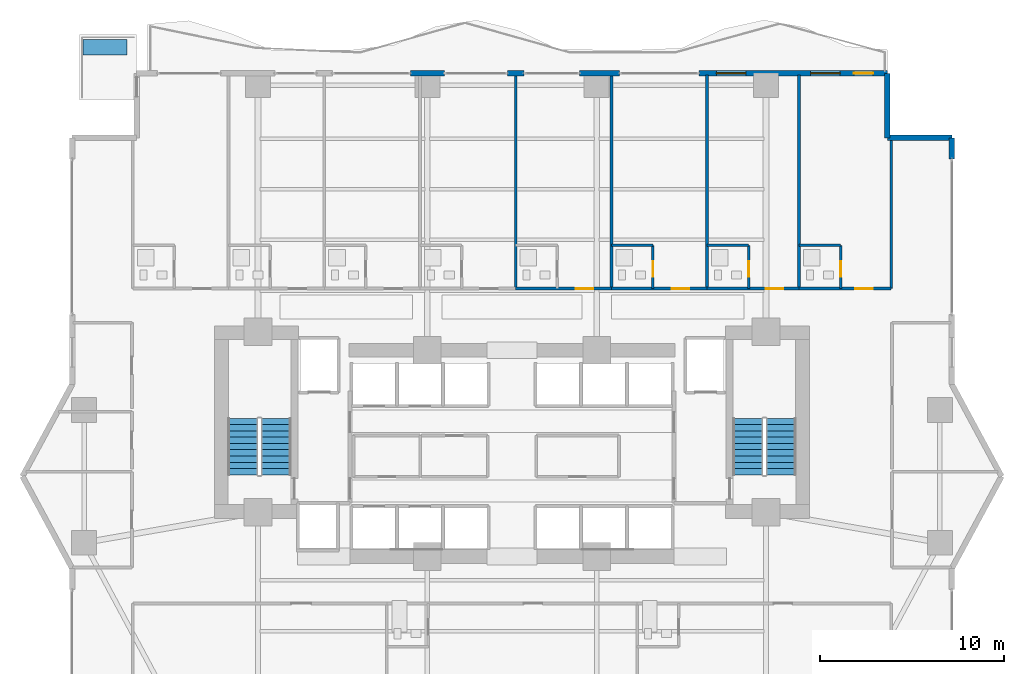
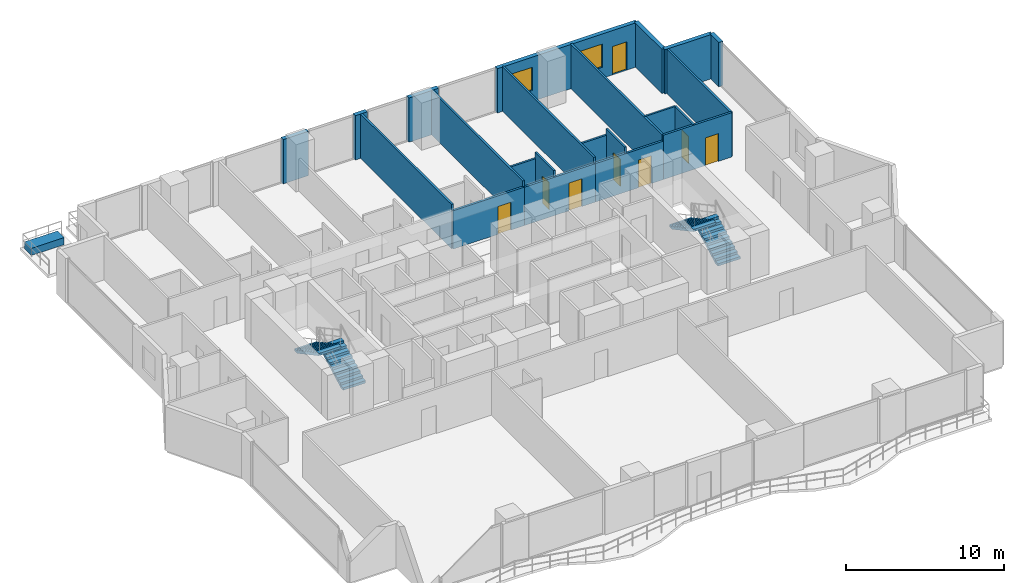
# One storey, part 24 of 28: 22 walls, 8 doors, 4 stair flights, 2 windows, 1 building element part, 10 openings, 2 elements without a shape of their own.
"""IFC4 building model written with IfcOpenShell, lengths in metres."""

from ifc_helpers import new_model, si_unit, direction, frame, frame_2d, origin, origin_2d, place, context, subcontext, project, spatial, polyline, rectangle, outline, extrude, material, layer, layer_set, type_object, element, fill, aggregate, save


model = new_model("IFC4")

# Units and contexts
model_context = context("Model", 3, precision=1e-05, world=origin(), true_north=direction((0.0, 1.0)))
body_context = subcontext(model_context, "Body", "Model", "MODEL_VIEW")
ifc_project = project(units=[si_unit("LENGTHUNIT", "METRE"), si_unit("AREAUNIT", "SQUARE_METRE"), si_unit("VOLUMEUNIT", "CUBIC_METRE"), si_unit("PLANEANGLEUNIT", "RADIAN"), si_unit("MASSUNIT", "GRAM", prefix="KILO")], contexts=[model_context])

# Site, building, storey
site_placement = place(None, origin())
site = spatial("IfcSite", under=ifc_project, at=site_placement, CompositionType="ELEMENT")
building_placement = place(site_placement, origin())
building = spatial("IfcBuilding", under=site, at=building_placement, Name="Zuhayl Quay Hotel", CompositionType="ELEMENT")
storey_placement = place(building_placement, frame((0.0, 0.0, 110.25)))
storey = spatial("IfcBuildingStorey", under=building, at=storey_placement, Name="L27", CompositionType="ELEMENT", Elevation=110.25)

# Walls
ifc_material_1 = material(Name="Precast concrete C45/55", Category="concrete")
ifc_layer_1 = layer(ifc_material_1, 0.300048828125, Name="Precast concrete C45/55", Category="concrete")
ifc_layer_set_1 = layer_set([ifc_layer_1], Name="Precast concrete C45/55")
wall_type_1 = type_object("IfcWallType", Name="WL_EXT_300", PredefinedType="STANDARD", material=ifc_layer_set_1)
wall_1_placement = place(storey_placement, frame((-5.52001953125, 28.39990234375, 0.0), z_axis=(0.0, 0.0, 1.0), x_axis=(1.0, 0.0, 0.0)))
element("IfcWall", 1, at=wall_1_placement, inside=storey, type_object=wall_type_1, Name="L27 Exterior Precast Wall ENV_L27_N_EW4", PredefinedType="STANDARD", context=body_context, shape_type="SweptSolid", body=[
    extrude(rectangle(XDim=1.840087890625, YDim=0.300048828125, at=frame_2d((0.919921875, 0.0))), origin(), (0.0, 0.0, 1.0), 3.429931640625),
])
wall_2_placement = place(storey_placement, frame((-0.25, 28.39990234375, 0.0), z_axis=(0.0, 0.0, 1.0), x_axis=(1.0, 0.0, 0.0)))
element("IfcWall", 2, at=wall_2_placement, inside=storey, type_object=wall_type_1, Name="L27 Exterior Precast Wall ENV_L27_N_EW5", PredefinedType="STANDARD", context=body_context, shape_type="SweptSolid", body=[
    extrude(rectangle(XDim=0.89990234375, YDim=0.300048828125, at=frame_2d((0.449951171875, 0.0))), origin(), (0.0, 0.0, 1.0), 3.429931640625),
])
wall_3_placement = place(storey_placement, frame((3.679931640625, 28.39990234375, 0.0), z_axis=(0.0, 0.0, 1.0), x_axis=(1.0, 0.0, 0.0)))
element("IfcWall", 3, at=wall_3_placement, inside=storey, type_object=wall_type_1, Name="L27 Exterior Precast Wall ENV_L27_N_EW6", PredefinedType="STANDARD", context=body_context, shape_type="SweptSolid", body=[
    extrude(rectangle(XDim=2.170166015625, YDim=0.300048828125, at=frame_2d((1.0849609375, 0.0))), origin(), (0.0, 0.0, 1.0), 3.429931640625),
])

# Wall, openings, door, windows
wall_4_placement = place(storey_placement, frame((10.14990234375, 28.39990234375, 0.0), z_axis=(0.0, 0.0, 1.0), x_axis=(1.0, 0.0, 0.0)))
wall_4 = element("IfcWall", 4, at=wall_4_placement, inside=storey, type_object=wall_type_1, Name="L27 Exterior Precast Wall ENV_L27_N_EW7", PredefinedType="STANDARD", context=body_context, shape_type="SweptSolid", body=[
    extrude(rectangle(XDim=10.25, YDim=0.300048828125, at=frame_2d((5.125, 0.0))), origin(), (0.0, 0.0, 1.0), 3.429931640625),
])
opening_1_placement = place(wall_4_placement, frame((8.425048828125, 0.0, 0.0)))
opening_1 = element("IfcOpeningElement", 5, at=opening_1_placement, cuts=wall_4, Name="Opening DG1", PredefinedType="OPENING", context=body_context, shape_type="SweptSolid", body=[
    extrude(rectangle(XDim=1.050048828125, YDim=2.199951171875, at=frame_2d((0.52490234375, 1.10009765625))), frame((0.0, 0.159912109375, 0.0), z_axis=(0.0, -1.0, 0.0), x_axis=(1.0, 0.0, 0.0)), (0.0, 0.0, 1.0), 0.320068359375),
])
opening_2_placement = place(wall_4_placement, frame((0.9599609375, 0.0, 0.85009765625)))
opening_2 = element("IfcOpeningElement", 6, at=opening_2_placement, cuts=wall_4, Name="Opening W01", PredefinedType="OPENING", context=body_context, shape_type="SweptSolid", body=[
    extrude(rectangle(XDim=1.60009765625, YDim=1.800048828125, at=frame_2d((0.800048828125, 0.89990234375))), frame((0.0, 0.159912109375, 0.0), z_axis=(0.0, -1.0, 0.0), x_axis=(1.0, 0.0, 0.0)), (0.0, 0.0, 1.0), 0.320068359375),
])
opening_3_placement = place(wall_4_placement, frame((6.072509765625, 0.0, 0.85009765625)))
opening_3 = element("IfcOpeningElement", 7, at=opening_3_placement, cuts=wall_4, Name="Opening W01", PredefinedType="OPENING", context=body_context, shape_type="SweptSolid", body=[
    extrude(rectangle(XDim=1.60009765625, YDim=1.800048828125, at=frame_2d((0.800048828125, 0.89990234375))), frame((0.0, 0.159912109375, 0.0), z_axis=(0.0, -1.0, 0.0), x_axis=(1.0, 0.0, 0.0)), (0.0, 0.0, 1.0), 0.320068359375),
])
ifc_material_2 = material(Name="Anodised Aluminium and Dark Solar Glass", Category="aluminium")
door_type_1 = type_object("IfcDoorType", Name="DR_EXT_TERR_1050", OperationType="NOTDEFINED", PredefinedType="DOOR", material=ifc_material_2)
door_1_placement = place(opening_1_placement, origin())
door_1 = element("IfcDoor", 8, at=door_1_placement, inside=storey, type_object=door_type_1, Name="L27 North Rippling Balcony Door", OperationType="SINGLE_SWING_LEFT", OverallHeight=2.199951171875, OverallWidth=1.050048828125, PredefinedType="DOOR", context=body_context, shape_type="SweptSolid", body=[
    extrude(rectangle(XDim=1.050048828125, YDim=2.199951171875, at=frame_2d((0.52490234375, 1.10009765625))), frame((0.0, 0.02490234375, 0.0), z_axis=(0.0, -1.0, 0.0), x_axis=(1.0, 0.0, 0.0)), (0.0, 0.0, 1.0), 0.050048828125),
])
fill(opening_1, door_1)
ifc_material_3 = material(Name="Dark Ceramic-Fritted Solar Glass", Category="glass")
window_type = type_object("IfcWindowType", Name="WN_OPERABLE_1600", PartitioningType="DOUBLE_PANEL_VERTICAL", PredefinedType="WINDOW", material=ifc_material_3)
window_1_placement = place(opening_2_placement, origin())
window_1 = element("IfcWindow", 9, at=window_1_placement, inside=storey, type_object=window_type, Name="L27 Operable Facade Window 7-1", OverallHeight=1.800048828125, OverallWidth=1.60009765625, PartitioningType="SINGLE_PANEL", PredefinedType="WINDOW", context=body_context, shape_type="SweptSolid", body=[
    extrude(rectangle(XDim=1.60009765625, YDim=1.800048828125, at=frame_2d((0.800048828125, 0.89990234375))), frame((0.0, 0.030029296875, 0.0), z_axis=(0.0, -1.0, 0.0), x_axis=(1.0, 0.0, 0.0)), (0.0, 0.0, 1.0), 0.06005859375),
])
fill(opening_2, window_1)
window_2_placement = place(opening_3_placement, origin())
window_2 = element("IfcWindow", 10, at=window_2_placement, inside=storey, type_object=window_type, Name="L27 Operable Facade Window 7-2", OverallHeight=1.800048828125, OverallWidth=1.60009765625, PartitioningType="SINGLE_PANEL", PredefinedType="WINDOW", context=body_context, shape_type="SweptSolid", body=[
    extrude(rectangle(XDim=1.60009765625, YDim=1.800048828125, at=frame_2d((0.800048828125, 0.89990234375))), frame((0.0, 0.030029296875, 0.0), z_axis=(0.0, -1.0, 0.0), x_axis=(1.0, 0.0, 0.0)), (0.0, 0.0, 1.0), 0.06005859375),
])
fill(opening_3, window_2)

# Walls
for number, where, z_axis, x_axis, name in (
    (11, (20.39990234375, 28.39990234375, 0.0), (0.0, 0.0, 1.0), (0.0, -1.0, 0.0), "L27 Exterior Precast Wall ENV_L27_EW09"),
    (12, (20.39990234375, 24.89990234375, 0.0), (0.0, 0.0, 1.0), (1.0, 0.0, 0.0), "L27 Exterior Precast Wall ENV_L27_EW10"),
):
    element("IfcWall", number, at=place(storey_placement, frame(where, z_axis=z_axis, x_axis=x_axis)), inside=storey, type_object=wall_type_1, Name=name, PredefinedType="STANDARD", context=body_context, shape_type="SweptSolid", body=[
        extrude(rectangle(XDim=3.5, YDim=0.300048828125, at=frame_2d((1.75, 0.0))), origin(), (0.0, 0.0, 1.0), 3.429931640625),
    ])
wall_5_placement = place(storey_placement, frame((23.89990234375, 24.89990234375, 0.0), z_axis=(0.0, 0.0, 1.0), x_axis=(0.0, -1.0, 0.0)))
element("IfcWall", 13, at=wall_5_placement, inside=storey, type_object=wall_type_1, Name="L27 Exterior Precast Wall ENV_L27_E11_EW1", PredefinedType="STANDARD", context=body_context, shape_type="SweptSolid", body=[
    extrude(rectangle(XDim=1.14990234375, YDim=0.300048828125, at=frame_2d((0.574951171875, 0.0))), origin(), (0.0, 0.0, 1.0), 3.429931640625),
])
ifc_material_4 = material(Name="Acoustic Gypsum Partition STC-58")
ifc_layer_2 = layer(ifc_material_4, 0.14990234375, Name="Acoustic Gypsum Partition STC-58")
ifc_layer_set_2 = layer_set([ifc_layer_2], Name="Acoustic Gypsum Partition STC-58")
wall_type_2 = type_object("IfcWallType", Name="WL_PART_150", PredefinedType="PARTITIONING", material=ifc_layer_set_2)
for number, where, z_axis, x_axis, name in (
    (14, (0.199951171875, 16.699951171875, 0.0), (0.0, 0.0, 1.0), (0.0, 1.0, 0.0), "L27 Partition IW_L27_NU04_E"),
    (15, (5.39990234375, 16.699951171875, 0.0), (0.0, 0.0, 1.0), (0.0, 1.0, 0.0), "L27 Partition IW_L27_NU05_E"),
    (16, (10.60009765625, 16.699951171875, 0.0), (0.0, 0.0, 1.0), (0.0, 1.0, 0.0), "L27 Partition IW_L27_NU06_E"),
    (17, (15.60009765625, 16.699951171875, 0.0), (0.0, 0.0, 1.0), (0.0, 1.0, 0.0), "L27 Partition IW_L27_NU07_E"),
):
    element("IfcWall", number, at=place(storey_placement, frame(where, z_axis=z_axis, x_axis=x_axis)), inside=storey, type_object=wall_type_2, Name=name, PredefinedType="PARTITIONING", context=body_context, shape_type="SweptSolid", body=[
        extrude(rectangle(XDim=11.6201171875, YDim=0.14990234375, at=frame_2d((5.81005859375, 0.0))), origin(), (0.0, 0.0, 1.0), 3.429931640625),
    ])
wall_6_placement = place(storey_placement, frame((20.60009765625, 16.699951171875, 0.0), z_axis=(0.0, 0.0, 1.0), x_axis=(0.0, 1.0, 0.0)))
element("IfcWall", 18, at=wall_6_placement, inside=storey, type_object=wall_type_2, Name="L27 Partition IW_L27_NU08_E", PredefinedType="PARTITIONING", context=body_context, shape_type="SweptSolid", body=[
    extrude(rectangle(XDim=8.199951171875, YDim=0.14990234375, at=frame_2d((4.10009765625, 0.0))), origin(), (0.0, 0.0, 1.0), 3.429931640625),
])

# Wall, opening, door
ifc_layer_3 = layer(ifc_material_4, 0.159912109375, Name="Acoustic Gypsum Partition STC-58")
ifc_layer_set_3 = layer_set([ifc_layer_3], Name="Acoustic Gypsum Partition STC-58")
wall_type_3 = type_object("IfcWallType", Name="WL_PART_CORR_160", PredefinedType="PARTITIONING", material=ifc_layer_set_3)
wall_7_placement = place(storey_placement, frame((0.199951171875, 16.699951171875, 0.0), z_axis=(0.0, 0.0, 1.0), x_axis=(1.0, 0.0, 0.0)))
wall_7 = element("IfcWall", 19, at=wall_7_placement, inside=storey, type_object=wall_type_3, Name="L27 Partition IW_L27_NU05_COR", PredefinedType="PARTITIONING", context=body_context, shape_type="SweptSolid", body=[
    extrude(rectangle(XDim=5.199951171875, YDim=0.159912109375, at=frame_2d((2.60009765625, 0.0))), origin(), (0.0, 0.0, 1.0), 2.972900390625),
])
opening_4_placement = place(wall_7_placement, frame((3.27490234375, 0.0, 0.0)))
opening_4 = element("IfcOpeningElement", 20, at=opening_4_placement, cuts=wall_7, Name="Opening D03", PredefinedType="OPENING", context=body_context, shape_type="SweptSolid", body=[
    extrude(rectangle(XDim=0.949951171875, YDim=2.14990234375, at=frame_2d((0.47509765625, 1.074951171875))), frame((0.0, 0.08984375, 0.0), z_axis=(0.0, -1.0, 0.0), x_axis=(1.0, 0.0, 0.0)), (0.0, 0.0, 1.0), 0.179931640625),
])
ifc_material_5 = material(Name="Solid Walnut Acoustic Fire Door")
door_type_2 = type_object("IfcDoorType", Name="DR_SUITE_950", OperationType="NOTDEFINED", PredefinedType="DOOR", material=ifc_material_5)
door_2_placement = place(opening_4_placement, origin())
door_2 = element("IfcDoor", 21, at=door_2_placement, inside=storey, type_object=door_type_2, Name="L27 Deluxe Gulf Guest Room L27-05 Entrance Door", OperationType="SINGLE_SWING_RIGHT", OverallHeight=2.14990234375, OverallWidth=0.949951171875, PredefinedType="DOOR", context=body_context, shape_type="SweptSolid", body=[
    extrude(rectangle(XDim=0.949951171875, YDim=2.14990234375, at=frame_2d((0.47509765625, 1.074951171875))), frame((0.0, 0.02490234375, 0.0), z_axis=(0.0, -1.0, 0.0), x_axis=(1.0, 0.0, 0.0)), (0.0, 0.0, 1.0), 0.050048828125),
])
fill(opening_4, door_2)

wall_8_placement = place(storey_placement, frame((5.39990234375, 16.699951171875, 0.0), z_axis=(0.0, 0.0, 1.0), x_axis=(1.0, 0.0, 0.0)))
wall_8 = element("IfcWall", 22, at=wall_8_placement, inside=storey, type_object=wall_type_3, Name="L27 Partition IW_L27_NU06_COR", PredefinedType="PARTITIONING", context=body_context, shape_type="SweptSolid", body=[
    extrude(rectangle(XDim=5.2001953125, YDim=0.159912109375, at=frame_2d((2.60009765625, 0.0))), origin(), (0.0, 0.0, 1.0), 2.972900390625),
])
opening_5_placement = place(wall_8_placement, frame((3.27490234375, 0.0, 0.0)))
opening_5 = element("IfcOpeningElement", 23, at=opening_5_placement, cuts=wall_8, Name="Opening D03", PredefinedType="OPENING", context=body_context, shape_type="SweptSolid", body=[
    extrude(rectangle(XDim=0.949951171875, YDim=2.14990234375, at=frame_2d((0.47509765625, 1.074951171875))), frame((0.0, 0.08984375, 0.0), z_axis=(0.0, -1.0, 0.0), x_axis=(1.0, 0.0, 0.0)), (0.0, 0.0, 1.0), 0.179931640625),
])
door_3_placement = place(opening_5_placement, origin())
door_3 = element("IfcDoor", 24, at=door_3_placement, inside=storey, type_object=door_type_2, Name="L27 Deluxe Gulf Guest Room L27-06 Entrance Door", OperationType="SINGLE_SWING_RIGHT", OverallHeight=2.14990234375, OverallWidth=0.949951171875, PredefinedType="DOOR", context=body_context, shape_type="SweptSolid", body=[
    extrude(rectangle(XDim=0.949951171875, YDim=2.14990234375, at=frame_2d((0.47509765625, 1.074951171875))), frame((0.0, 0.02490234375, 0.0), z_axis=(0.0, -1.0, 0.0), x_axis=(1.0, 0.0, 0.0)), (0.0, 0.0, 1.0), 0.050048828125),
])
fill(opening_5, door_3)

wall_9_placement = place(storey_placement, frame((10.60009765625, 16.699951171875, 0.0), z_axis=(0.0, 0.0, 1.0), x_axis=(1.0, 0.0, 0.0)))
wall_9 = element("IfcWall", 25, at=wall_9_placement, inside=storey, type_object=wall_type_3, Name="L27 Partition IW_L27_NU07_COR", PredefinedType="PARTITIONING", context=body_context, shape_type="SweptSolid", body=[
    extrude(rectangle(XDim=5.0, YDim=0.159912109375, at=frame_2d((2.5, 0.0))), origin(), (0.0, 0.0, 1.0), 2.972900390625),
])
opening_6_placement = place(wall_9_placement, frame((3.175048828125, 0.0, 0.0)))
opening_6 = element("IfcOpeningElement", 26, at=opening_6_placement, cuts=wall_9, Name="Opening D03", PredefinedType="OPENING", context=body_context, shape_type="SweptSolid", body=[
    extrude(rectangle(XDim=0.949951171875, YDim=2.14990234375, at=frame_2d((0.47509765625, 1.074951171875))), frame((0.0, 0.08984375, 0.0), z_axis=(0.0, -1.0, 0.0), x_axis=(1.0, 0.0, 0.0)), (0.0, 0.0, 1.0), 0.179931640625),
])
door_4_placement = place(opening_6_placement, origin())
door_4 = element("IfcDoor", 27, at=door_4_placement, inside=storey, type_object=door_type_2, Name="L27 Deluxe Gulf Guest Room L27-07 Entrance Door", OperationType="SINGLE_SWING_RIGHT", OverallHeight=2.14990234375, OverallWidth=0.949951171875, PredefinedType="DOOR", context=body_context, shape_type="SweptSolid", body=[
    extrude(rectangle(XDim=0.949951171875, YDim=2.14990234375, at=frame_2d((0.47509765625, 1.074951171875))), frame((0.0, 0.02490234375, 0.0), z_axis=(0.0, -1.0, 0.0), x_axis=(1.0, 0.0, 0.0)), (0.0, 0.0, 1.0), 0.050048828125),
])
fill(opening_6, door_4)

wall_10_placement = place(storey_placement, frame((15.60009765625, 16.699951171875, 0.0), z_axis=(0.0, 0.0, 1.0), x_axis=(1.0, 0.0, 0.0)))
wall_10 = element("IfcWall", 28, at=wall_10_placement, inside=storey, type_object=wall_type_3, Name="L27 Partition IW_L27_NU08_COR", PredefinedType="PARTITIONING", context=body_context, shape_type="SweptSolid", body=[
    extrude(rectangle(XDim=5.0, YDim=0.159912109375, at=frame_2d((2.5, 0.0))), origin(), (0.0, 0.0, 1.0), 3.429931640625),
])
opening_7_placement = place(wall_10_placement, frame((3.050048828125, 0.0, 0.0)))
opening_7 = element("IfcOpeningElement", 29, at=opening_7_placement, cuts=wall_10, Name="Opening D03", PredefinedType="OPENING", context=body_context, shape_type="SweptSolid", body=[
    extrude(rectangle(XDim=0.949951171875, YDim=2.14990234375, at=frame_2d((0.47509765625, 1.074951171875))), frame((0.0, 0.08984375, 0.0), z_axis=(0.0, -1.0, 0.0), x_axis=(1.0, 0.0, 0.0)), (0.0, 0.0, 1.0), 0.179931640625),
])
door_5_placement = place(opening_7_placement, origin())
door_5 = element("IfcDoor", 30, at=door_5_placement, inside=storey, type_object=door_type_2, Name="L27 Deluxe Gulf Guest Room L27-08 Entrance Door", OperationType="SINGLE_SWING_RIGHT", OverallHeight=2.14990234375, OverallWidth=0.949951171875, PredefinedType="DOOR", context=body_context, shape_type="SweptSolid", body=[
    extrude(rectangle(XDim=0.949951171875, YDim=2.14990234375, at=frame_2d((0.47509765625, 1.074951171875))), frame((0.0, 0.02490234375, 0.0), z_axis=(0.0, -1.0, 0.0), x_axis=(1.0, 0.0, 0.0)), (0.0, 0.0, 1.0), 0.050048828125),
])
fill(opening_7, door_5)

ifc_material_6 = material(Name="Moisture-Resistant Sanitarychase Gypsum")
ifc_layer_4 = layer(ifc_material_6, 0.135009765625, Name="Moisture-Resistant Sanitarychase Gypsum")
ifc_layer_set_4 = layer_set([ifc_layer_4], Name="Moisture-Resistant Sanitarychase Gypsum")
wall_type_4 = type_object("IfcWallType", Name="WL_PART_PLUMB_150", PredefinedType="PLUMBINGWALL", material=ifc_layer_set_4)
wall_11_placement = place(storey_placement, frame((7.659912109375, 16.699951171875, 0.0), z_axis=(0.0, 0.0, 1.0), x_axis=(0.0, 1.0, 0.0)))
wall_11 = element("IfcWall", 31, at=wall_11_placement, inside=storey, type_object=wall_type_4, Name="L27 Partition IW_L27_NU06_BE", PredefinedType="PLUMBINGWALL", context=body_context, shape_type="SweptSolid", body=[
    extrude(rectangle(XDim=2.360107421875, YDim=0.135009765625, at=frame_2d((1.18017578125, 0.0))), origin(), (0.0, 0.0, 1.0), 3.429931640625),
])
opening_8_placement = place(wall_11_placement, frame((0.64990234375, 0.0, 0.0)))
opening_8 = element("IfcOpeningElement", 32, at=opening_8_placement, cuts=wall_11, Name="Opening D04", PredefinedType="OPENING", context=body_context, shape_type="SweptSolid", body=[
    extrude(rectangle(XDim=0.85009765625, YDim=2.10009765625, at=frame_2d((0.425048828125, 1.050048828125))), frame((0.0, 0.077392578125, 0.0), z_axis=(0.0, -1.0, 0.0), x_axis=(1.0, 0.0, 0.0)), (0.0, 0.0, 1.0), 0.155029296875),
])
ifc_material_7 = material(Name="Moisture-Resistant Walnut Veneer")
door_type_3 = type_object("IfcDoorType", Name="DR_BATH_850", OperationType="NOTDEFINED", PredefinedType="DOOR", material=ifc_material_7)
door_6_placement = place(opening_8_placement, origin())
door_6 = element("IfcDoor", 33, at=door_6_placement, inside=storey, type_object=door_type_3, Name="L27 Deluxe Gulf Guest Room L27-06 En-Suite Door", OperationType="SINGLE_SWING_LEFT", OverallHeight=2.10009765625, OverallWidth=0.85009765625, PredefinedType="DOOR", context=body_context, shape_type="SweptSolid", body=[
    extrude(rectangle(XDim=0.85009765625, YDim=2.10009765625, at=frame_2d((0.425048828125, 1.050048828125))), frame((0.0, 0.02490234375, 0.0), z_axis=(0.0, -1.0, 0.0), x_axis=(1.0, 0.0, 0.0)), (0.0, 0.0, 1.0), 0.050048828125),
])
fill(opening_8, door_6)

wall_12_placement = place(storey_placement, frame((12.860107421875, 16.699951171875, 0.0), z_axis=(0.0, 0.0, 1.0), x_axis=(0.0, 1.0, 0.0)))
wall_12 = element("IfcWall", 34, at=wall_12_placement, inside=storey, type_object=wall_type_4, Name="L27 Partition IW_L27_NU07_BE", PredefinedType="PLUMBINGWALL", context=body_context, shape_type="SweptSolid", body=[
    extrude(rectangle(XDim=2.360107421875, YDim=0.135009765625, at=frame_2d((1.18017578125, 0.0))), origin(), (0.0, 0.0, 1.0), 3.429931640625),
])
opening_9_placement = place(wall_12_placement, frame((0.64990234375, 0.0, 0.0)))
opening_9 = element("IfcOpeningElement", 35, at=opening_9_placement, cuts=wall_12, Name="Opening D04", PredefinedType="OPENING", context=body_context, shape_type="SweptSolid", body=[
    extrude(rectangle(XDim=0.85009765625, YDim=2.10009765625, at=frame_2d((0.425048828125, 1.050048828125))), frame((0.0, 0.077392578125, 0.0), z_axis=(0.0, -1.0, 0.0), x_axis=(1.0, 0.0, 0.0)), (0.0, 0.0, 1.0), 0.155029296875),
])
door_7_placement = place(opening_9_placement, origin())
door_7 = element("IfcDoor", 36, at=door_7_placement, inside=storey, type_object=door_type_3, Name="L27 Deluxe Gulf Guest Room L27-07 En-Suite Door", OperationType="SINGLE_SWING_LEFT", OverallHeight=2.10009765625, OverallWidth=0.85009765625, PredefinedType="DOOR", context=body_context, shape_type="SweptSolid", body=[
    extrude(rectangle(XDim=0.85009765625, YDim=2.10009765625, at=frame_2d((0.425048828125, 1.050048828125))), frame((0.0, 0.02490234375, 0.0), z_axis=(0.0, -1.0, 0.0), x_axis=(1.0, 0.0, 0.0)), (0.0, 0.0, 1.0), 0.050048828125),
])
fill(opening_9, door_7)

wall_13_placement = place(storey_placement, frame((17.860107421875, 16.699951171875, 0.0), z_axis=(0.0, 0.0, 1.0), x_axis=(0.0, 1.0, 0.0)))
wall_13 = element("IfcWall", 37, at=wall_13_placement, inside=storey, type_object=wall_type_4, Name="L27 Partition IW_L27_NU08_BE", PredefinedType="PLUMBINGWALL", context=body_context, shape_type="SweptSolid", body=[
    extrude(rectangle(XDim=2.360107421875, YDim=0.135009765625, at=frame_2d((1.18017578125, 0.0))), origin(), (0.0, 0.0, 1.0), 3.429931640625),
])
opening_10_placement = place(wall_13_placement, frame((0.64990234375, 0.0, 0.0)))
opening_10 = element("IfcOpeningElement", 38, at=opening_10_placement, cuts=wall_13, Name="Opening D04", PredefinedType="OPENING", context=body_context, shape_type="SweptSolid", body=[
    extrude(rectangle(XDim=0.85009765625, YDim=2.10009765625, at=frame_2d((0.425048828125, 1.050048828125))), frame((0.0, 0.077392578125, 0.0), z_axis=(0.0, -1.0, 0.0), x_axis=(1.0, 0.0, 0.0)), (0.0, 0.0, 1.0), 0.155029296875),
])
door_8_placement = place(opening_10_placement, origin())
door_8 = element("IfcDoor", 39, at=door_8_placement, inside=storey, type_object=door_type_3, Name="L27 Deluxe Gulf Guest Room L27-08 En-Suite Door", OperationType="SINGLE_SWING_LEFT", OverallHeight=2.10009765625, OverallWidth=0.85009765625, PredefinedType="DOOR", context=body_context, shape_type="SweptSolid", body=[
    extrude(rectangle(XDim=0.85009765625, YDim=2.10009765625, at=frame_2d((0.425048828125, 1.050048828125))), frame((0.0, 0.02490234375, 0.0), z_axis=(0.0, -1.0, 0.0), x_axis=(1.0, 0.0, 0.0)), (0.0, 0.0, 1.0), 0.050048828125),
])
fill(opening_10, door_8)

# Walls
for number, where, z_axis, x_axis, name in (
    (40, (5.39990234375, 19.06005859375, 0.0), (0.0, 0.0, 1.0), (1.0, 0.0, 0.0), "L27 Partition IW_L27_NU06_BN"),
    (41, (10.60009765625, 19.06005859375, 0.0), (0.0, 0.0, 1.0), (1.0, 0.0, 0.0), "L27 Partition IW_L27_NU07_BN"),
):
    element("IfcWall", number, at=place(storey_placement, frame(where, z_axis=z_axis, x_axis=x_axis)), inside=storey, type_object=wall_type_4, Name=name, PredefinedType="PLUMBINGWALL", context=body_context, shape_type="SweptSolid", body=[
        extrude(rectangle(XDim=2.260009765625, YDim=0.135009765625, at=frame_2d((1.1298828125, 0.0))), origin(), (0.0, 0.0, 1.0), 2.972900390625),
    ])
wall_14_placement = place(storey_placement, frame((15.60009765625, 19.06005859375, 0.0), z_axis=(0.0, 0.0, 1.0), x_axis=(1.0, 0.0, 0.0)))
element("IfcWall", 42, at=wall_14_placement, inside=storey, type_object=wall_type_4, Name="L27 Partition IW_L27_NU08_BN", PredefinedType="PLUMBINGWALL", context=body_context, shape_type="SweptSolid", body=[
    extrude(rectangle(XDim=2.260009765625, YDim=0.135009765625, at=frame_2d((1.1298828125, 0.0))), origin(), (0.0, 0.0, 1.0), 3.429931640625),
])

# Stair, stair flights
ifc_material_8 = material(Name="Concrete C45/55", Category="concrete")
stair_type = type_object("IfcStairType", Name="ST_DOGLEG_TOWER", PredefinedType="HALF_TURN_STAIR", material=ifc_material_8)
stair_1_placement = place(storey_placement, origin())
stair_1 = element("IfcStair", 43, at=stair_1_placement, inside=storey, type_object=stair_type, Name="L27 Smokeproof Exit Stair ST1", PredefinedType="HALF_TURN_STAIR")
ifc_layer_5 = layer(ifc_material_8, 0.159912109375, Name="Concrete C45/55", Category="concrete")
ifc_layer_set_5 = layer_set([ifc_layer_5], Name="Concrete C45/55")
stair_flight_type = type_object("IfcStairFlightType", Name="SF_CONC_164", PredefinedType="STRAIGHT", material=ifc_layer_set_5)
stair_flight_1_placement = place(storey_placement, frame((-12.820068359375, 6.590087890625, 0.0), z_axis=(0.0, 0.0, 1.0), x_axis=(0.0, 1.0, 0.0)))
stair_flight_1 = element("IfcStairFlight", 44, at=stair_flight_1_placement, type_object=stair_flight_type, Name="ST1 flight 1", NumberOfRisers=10, NumberOfTreads=9, PredefinedType="STRAIGHT", RiserHeight=0.1825, TreadLength=0.34, context=body_context, shape_type="SweptSolid", body=[
    extrude(outline(polyline([(0.0, 0.0), (0.0, 0.1826171875), (0.340087890625, 0.1826171875), (0.340087890625, 0.364990234375), (0.679931640625, 0.364990234375), (0.679931640625, 0.547607421875), (1.02001953125, 0.547607421875), (1.02001953125, 0.72998046875), (1.360107421875, 0.72998046875), (1.360107421875, 0.91259765625), (1.699951171875, 0.91259765625), (1.699951171875, 1.094970703125), (2.0400390625, 1.094970703125), (2.0400390625, 1.277587890625), (2.3798828125, 1.277587890625), (2.3798828125, 1.4599609375), (2.719970703125, 1.4599609375), (2.719970703125, 1.642578125), (3.06005859375, 1.642578125), (3.06005859375, 1.824951171875), (3.06005859375, 1.472412109375), (0.31689453125, 0.0), (0.0, 0.0)])), frame((0.0, 0.81982421875, 0.0), z_axis=(0.0, -1.0, 0.0), x_axis=(1.0, 0.0, 0.0)), (0.0, 0.0, 1.0), 1.639892578125),
])
stair_flight_2_placement = place(storey_placement, frame((-14.610107421875, 9.64990234375, 1.824951171875), z_axis=(0.0, 0.0, 1.0), x_axis=(0.0, -1.0, 0.0)))
stair_flight_2 = element("IfcStairFlight", 45, at=stair_flight_2_placement, type_object=stair_flight_type, Name="ST1 flight 2", NumberOfRisers=10, NumberOfTreads=9, PredefinedType="STRAIGHT", RiserHeight=0.1825, TreadLength=0.34, context=body_context, shape_type="SweptSolid", body=[
    extrude(outline(polyline([(0.0, 0.0), (0.0, 0.1826171875), (0.340087890625, 0.1826171875), (0.340087890625, 0.364990234375), (0.679931640625, 0.364990234375), (0.679931640625, 0.547607421875), (1.02001953125, 0.547607421875), (1.02001953125, 0.72998046875), (1.360107421875, 0.72998046875), (1.360107421875, 0.91259765625), (1.699951171875, 0.91259765625), (1.699951171875, 1.094970703125), (2.0400390625, 1.094970703125), (2.0400390625, 1.277587890625), (2.3798828125, 1.277587890625), (2.3798828125, 1.4599609375), (2.719970703125, 1.4599609375), (2.719970703125, 1.642578125), (3.06005859375, 1.642578125), (3.06005859375, 1.824951171875), (3.06005859375, 1.472412109375), (0.31689453125, 0.0), (0.0, 0.0)])), frame((0.0, 0.81982421875, 0.0), z_axis=(0.0, -1.0, 0.0), x_axis=(1.0, 0.0, 0.0)), (0.0, 0.0, 1.0), 1.639892578125),
])
aggregate(stair_1, [stair_flight_1, stair_flight_2])

stair_2_placement = place(storey_placement, origin())
stair_2 = element("IfcStair", 46, at=stair_2_placement, inside=storey, type_object=stair_type, Name="L27 Smokeproof Exit Stair ST2", PredefinedType="HALF_TURN_STAIR")
stair_flight_3_placement = place(storey_placement, frame((14.610107421875, 6.590087890625, 0.0), z_axis=(0.0, 0.0, 1.0), x_axis=(0.0, 1.0, 0.0)))
stair_flight_3 = element("IfcStairFlight", 47, at=stair_flight_3_placement, type_object=stair_flight_type, Name="ST2 flight 1", NumberOfRisers=10, NumberOfTreads=9, PredefinedType="STRAIGHT", RiserHeight=0.1825, TreadLength=0.34, context=body_context, shape_type="SweptSolid", body=[
    extrude(outline(polyline([(0.0, 0.0), (0.0, 0.1826171875), (0.340087890625, 0.1826171875), (0.340087890625, 0.364990234375), (0.679931640625, 0.364990234375), (0.679931640625, 0.547607421875), (1.02001953125, 0.547607421875), (1.02001953125, 0.72998046875), (1.360107421875, 0.72998046875), (1.360107421875, 0.91259765625), (1.699951171875, 0.91259765625), (1.699951171875, 1.094970703125), (2.0400390625, 1.094970703125), (2.0400390625, 1.277587890625), (2.3798828125, 1.277587890625), (2.3798828125, 1.4599609375), (2.719970703125, 1.4599609375), (2.719970703125, 1.642578125), (3.06005859375, 1.642578125), (3.06005859375, 1.824951171875), (3.06005859375, 1.472412109375), (0.31689453125, 0.0), (0.0, 0.0)])), frame((0.0, 0.81982421875, 0.0), z_axis=(0.0, -1.0, 0.0), x_axis=(1.0, 0.0, 0.0)), (0.0, 0.0, 1.0), 1.639892578125),
])
stair_flight_4_placement = place(storey_placement, frame((12.820068359375, 9.64990234375, 1.824951171875), z_axis=(0.0, 0.0, 1.0), x_axis=(0.0, -1.0, 0.0)))
stair_flight_4 = element("IfcStairFlight", 48, at=stair_flight_4_placement, type_object=stair_flight_type, Name="ST2 flight 2", NumberOfRisers=10, NumberOfTreads=9, PredefinedType="STRAIGHT", RiserHeight=0.1825, TreadLength=0.34, context=body_context, shape_type="SweptSolid", body=[
    extrude(outline(polyline([(0.0, 0.0), (0.0, 0.1826171875), (0.340087890625, 0.1826171875), (0.340087890625, 0.364990234375), (0.679931640625, 0.364990234375), (0.679931640625, 0.547607421875), (1.02001953125, 0.547607421875), (1.02001953125, 0.72998046875), (1.360107421875, 0.72998046875), (1.360107421875, 0.91259765625), (1.699951171875, 0.91259765625), (1.699951171875, 1.094970703125), (2.0400390625, 1.094970703125), (2.0400390625, 1.277587890625), (2.3798828125, 1.277587890625), (2.3798828125, 1.4599609375), (2.719970703125, 1.4599609375), (2.719970703125, 1.642578125), (3.06005859375, 1.642578125), (3.06005859375, 1.824951171875), (3.06005859375, 1.472412109375), (0.31689453125, 0.0), (0.0, 0.0)])), frame((0.0, 0.81982421875, 0.0), z_axis=(0.0, -1.0, 0.0), x_axis=(1.0, 0.0, 0.0)), (0.0, 0.0, 1.0), 1.639892578125),
])
aggregate(stair_2, [stair_flight_3, stair_flight_4])

# Building element part
ifc_layer_6 = layer(ifc_material_1, 0.550048828125, Name="Precast concrete C45/55", Category="concrete")
ifc_layer_set_6 = layer_set([ifc_layer_6], Name="Precast concrete C45/55")
building_element_part_type = type_object("IfcBuildingElementPartType", Name="PT_PLANTER_KERB", PredefinedType="PRECASTPANEL", material=ifc_layer_set_6)
building_element_part_placement = place(storey_placement, frame((-22.110107421875, 29.81005859375, 0.0), z_axis=(0.0, 0.0, 1.0), x_axis=(1.0, 0.0, 0.0)))
element("IfcBuildingElementPart", 49, at=building_element_part_placement, inside=storey, type_object=building_element_part_type, Name="L27 Spiral Sky-Terrace Planter Box NW", PredefinedType="PRECASTPANEL", context=body_context, shape_type="SweptSolid", body=[
    extrude(rectangle(XDim=2.39990234375, YDim=0.85009765625, at=origin_2d()), origin(), (0.0, 0.0, 1.0), 0.550048828125),
])

save(model, "model.ifc")
